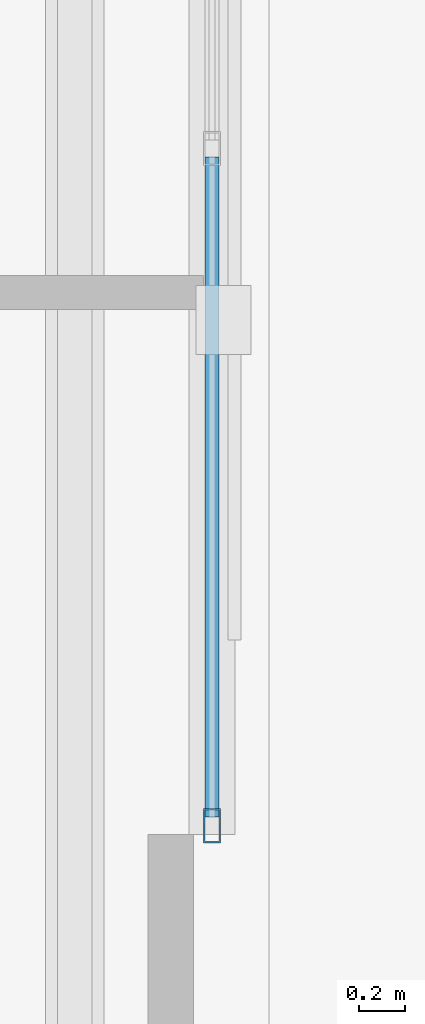
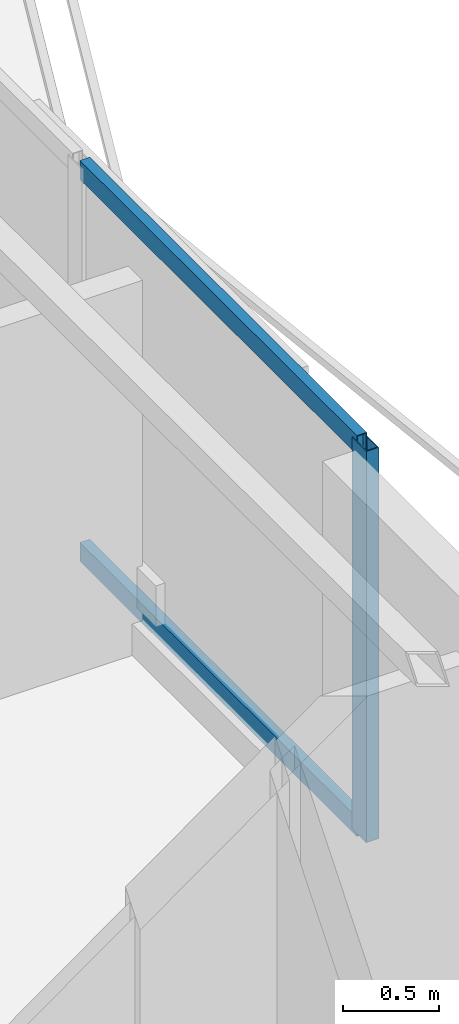
# One storey, part 6 of 21: 3 members, 1 element without a shape of its own.
"""IFC4 building model written with IfcOpenShell, lengths in metres."""

from ifc_helpers import new_model, si_unit, direction, frame, origin, origin_2d, place, context, subcontext, project, spatial, hollow_rectangle, extrude, material, layer, layer_set, material_profile, profile_set, type_object, element, aggregate, save


model = new_model("IFC4")

# Units and contexts
model_context = context("Model", 3, precision=1e-05, world=origin(), true_north=direction((0.0, 1.0)))
body_context = subcontext(model_context, "Body", "Model", "MODEL_VIEW")
ifc_project = project(units=[si_unit("LENGTHUNIT", "METRE"), si_unit("AREAUNIT", "SQUARE_METRE"), si_unit("VOLUMEUNIT", "CUBIC_METRE"), si_unit("PLANEANGLEUNIT", "RADIAN"), si_unit("MASSUNIT", "GRAM", prefix="KILO")], contexts=[model_context])

# Site, building, storey
site_placement = place(None, origin())
site = spatial("IfcSite", under=ifc_project, at=site_placement, CompositionType="ELEMENT")
building_placement = place(site_placement, origin())
building = spatial("IfcBuilding", under=site, at=building_placement, Name="Mersakhor Tower and Convention Hall", CompositionType="ELEMENT")
storey_placement = place(building_placement, frame((0.0, 0.0, 211.800048828125)))
storey = spatial("IfcBuildingStorey", under=building, at=storey_placement, Name="L59", CompositionType="ELEMENT", Elevation=211.800048828125)

# Curtain wall, members
ifc_material_1 = material(Name="Dark solar low-E aluminium curtain wall", Category="aluminium")
ifc_layer = layer(ifc_material_1, 0.169921875)
ifc_layer_set = layer_set([ifc_layer], Name="Dark solar low-E aluminium curtain wall")
curtain_wall_type = type_object("IfcCurtainWallType", Name="CW-SYS-02", PredefinedType="USERDEFINED", material=ifc_layer_set)
curtain_wall_placement = place(storey_placement, origin())
curtain_wall = element("IfcCurtainWall", 1, at=curtain_wall_placement, inside=storey, type_object=curtain_wall_type, Name="L59 Dark-Glass Curtain Wall F2-B2", ObjectType="CURTAIN WALL", PredefinedType="USERDEFINED")
ifc_material_2 = material(Name="Anodised aluminium EN AW-6063 T6", Category="aluminium")
ifc_material_profile_1 = material_profile(ifc_material_2, hollow_rectangle(XDim=0.074951171875, YDim=0.14990234375, WallThickness=0.00634765625, at=origin_2d()), Name="RHS 150x75x6.3")
ifc_profile_set_1 = profile_set([ifc_material_profile_1], Name="Anodised aluminium EN AW-6063 T6")
member_type_1 = type_object("IfcMemberType", Name="CWM-150x75", PredefinedType="MULLION", material=ifc_profile_set_1)
member_1_placement = place(storey_placement, frame((40.58837890625, 22.2880859375, 0.199951171875), z_axis=(0.0, 0.0, 1.0), x_axis=(1.0, 0.0, 0.0)))
member_1 = element("IfcMember", 2, at=member_1_placement, type_object=member_type_1, Name="CW-02 mullion 4", PredefinedType="MULLION", context=body_context, shape_type="SweptSolid", body=[
    extrude(hollow_rectangle(XDim=0.074951171875, YDim=0.14990234375, WallThickness=0.00634765625, at=origin_2d()), origin(), (0.0, 0.0, 1.0), 2.489990234375),
])
ifc_material_3 = material(Name="Anodised aluminium EN AW-6063 T6", Category="aluminium")
ifc_material_profile_2 = material_profile(ifc_material_3, hollow_rectangle(XDim=0.06005859375, YDim=0.1201171875, WallThickness=0.0048828125, at=origin_2d()), Name="RHS 120x60x5")
ifc_profile_set_2 = profile_set([ifc_material_profile_2], Name="Anodised aluminium EN AW-6063 T6")
member_type_2 = type_object("IfcMemberType", Name="CWT-120x60", PredefinedType="USERDEFINED", material=ifc_profile_set_2)
member_2_placement = place(storey_placement, frame((40.58837890625, 25.212646484375, 0.22998046875), z_axis=(0.0, -1.0, 0.0), x_axis=(1.0, 0.0, 0.0)))
member_2 = element("IfcMember", 3, at=member_2_placement, type_object=member_type_2, Name="CW-02 transom 3.1", ObjectType="TRANSOM", PredefinedType="USERDEFINED", context=body_context, shape_type="SweptSolid", body=[
    extrude(hollow_rectangle(XDim=0.06005859375, YDim=0.1201171875, WallThickness=0.0048828125, at=origin_2d()), origin(), (0.0, 0.0, 1.0), 2.88720703125),
])
member_3_placement = place(storey_placement, frame((40.58837890625, 25.212646484375, 2.659912109375), z_axis=(0.0, -1.0, 0.0), x_axis=(1.0, 0.0, 0.0)))
member_3 = element("IfcMember", 4, at=member_3_placement, type_object=member_type_2, Name="CW-02 transom 3.2", ObjectType="TRANSOM", PredefinedType="USERDEFINED", context=body_context, shape_type="SweptSolid", body=[
    extrude(hollow_rectangle(XDim=0.06005859375, YDim=0.1201171875, WallThickness=0.0048828125, at=origin_2d()), origin(), (0.0, 0.0, 1.0), 2.88720703125),
])
aggregate(curtain_wall, [member_1, member_2, member_3])

save(model, "model.ifc")
